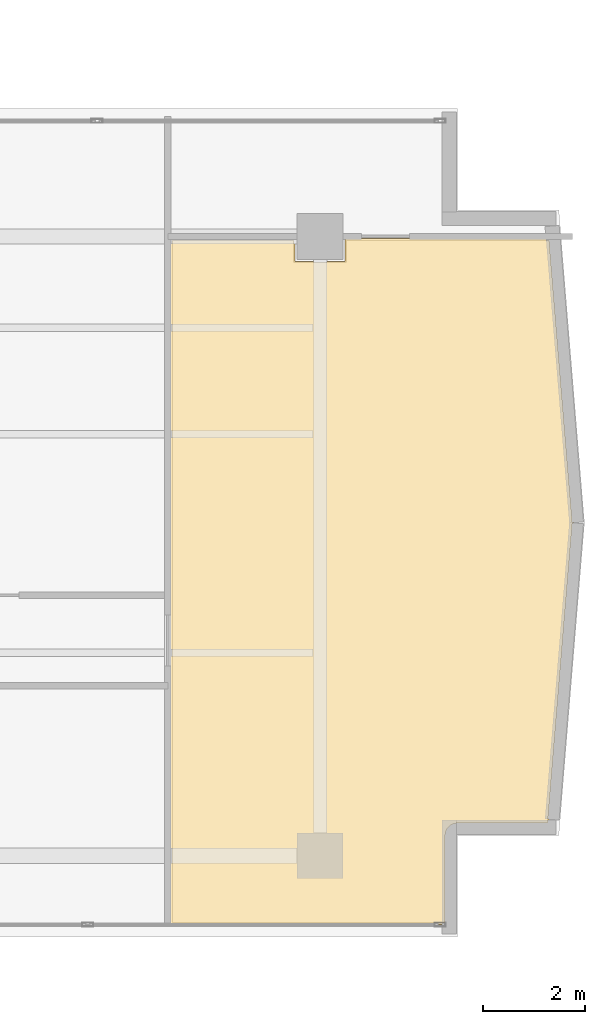
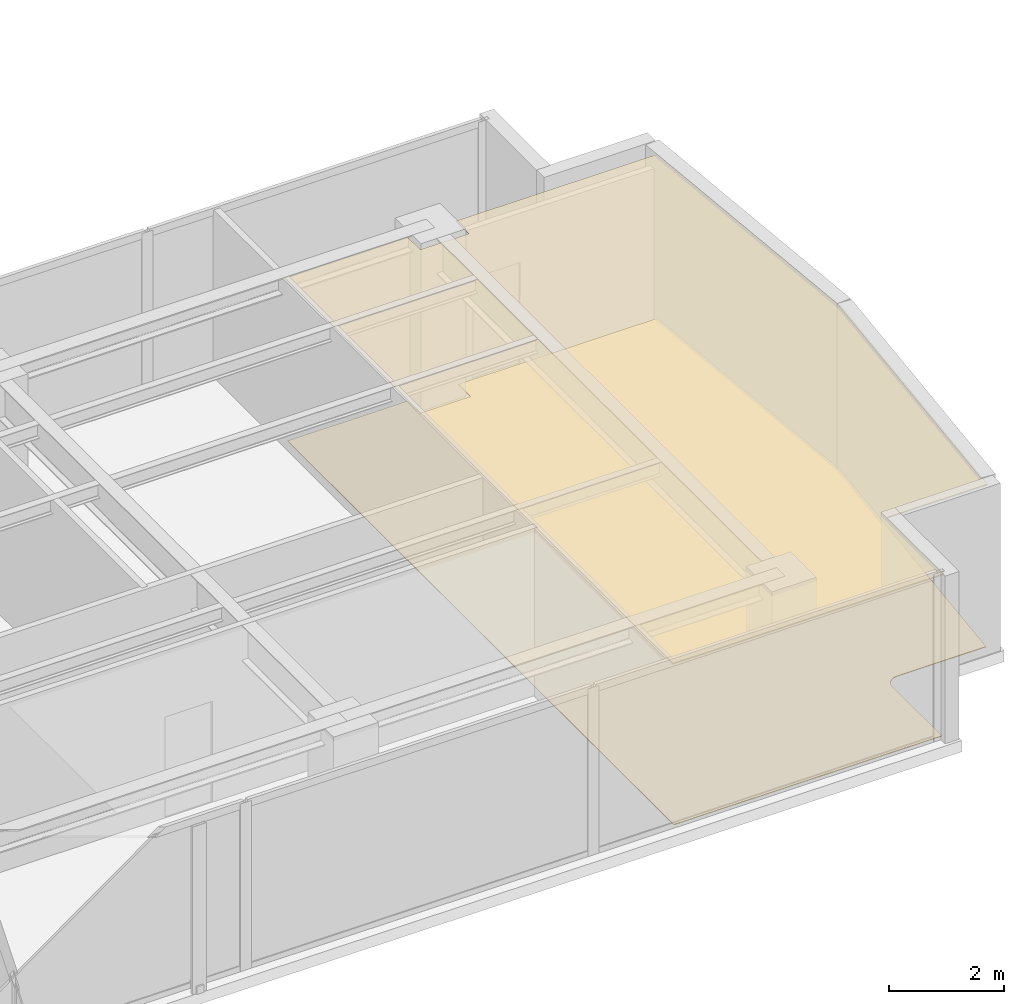
# One storey, part 23 of 24: 2 coverings.
"""IFC4 building model written with IfcOpenShell, lengths in metres."""

from ifc_helpers import new_model, si_unit, direction, frame, origin, place, context, subcontext, project, spatial, polyline, outline, extrude, material, layer, layer_set, type_object, element, save


model = new_model("IFC4")

# Units and contexts
model_context = context("Model", 3, precision=1e-05, world=origin(), true_north=direction((0.0, 1.0)))
body_context = subcontext(model_context, "Body", "Model", "MODEL_VIEW")
ifc_project = project(units=[si_unit("LENGTHUNIT", "METRE"), si_unit("AREAUNIT", "SQUARE_METRE"), si_unit("VOLUMEUNIT", "CUBIC_METRE"), si_unit("PLANEANGLEUNIT", "RADIAN"), si_unit("MASSUNIT", "GRAM", prefix="KILO")], contexts=[model_context])

# Site, building, storey
site_placement = place(None, origin())
site = spatial("IfcSite", under=ifc_project, at=site_placement, CompositionType="ELEMENT")
building_placement = place(site_placement, origin())
building = spatial("IfcBuilding", under=site, at=building_placement, Name="Kolvaren Waterfront Exchange", CompositionType="ELEMENT")
storey_placement = place(building_placement, frame((0.0, 0.0, 293.199951171875)))
storey = spatial("IfcBuildingStorey", under=building, at=storey_placement, Name="L75", CompositionType="ELEMENT", Elevation=293.199951171875)

# Coverings
ifc_material_1 = material(Name="Mineral fibre acoustic ceiling tile")
ifc_layer_1 = layer(ifc_material_1, 0.02490234375, Name="Mineral fibre acoustic ceiling tile")
ifc_layer_set_1 = layer_set([ifc_layer_1], Name="Mineral fibre acoustic ceiling tile")
covering_type_1 = type_object("IfcCoveringType", Name="ARC-CEIL-ACOUSTIC-25", PredefinedType="CEILING", material=ifc_layer_set_1)
covering_1_placement = place(storey_placement, frame((0.0, 0.0, 3.445068359375)))
element("IfcCovering", 1, at=covering_1_placement, inside=storey, type_object=covering_type_1, Name="L75 acoustic suspended ceiling 2", PredefinedType="CEILING", context=body_context, shape_type="SweptSolid", body=[
    extrude(outline(polyline([(46.090087890625, 17.35498046875), (46.090087890625, 16.909912109375), (45.110107421875, 16.909912109375), (45.110107421875, 17.35498046875), (42.64501953125, 17.35498046875), (42.64501953125, 3.844970703125), (48.085205078125, 3.844970703125), (48.085205078125, 5.820068359375), (50.1025390625, 5.820068359375), (50.58984375, 11.7578125), (50.130615234375, 17.35498046875), (46.090087890625, 17.35498046875)])), origin(), (0.0, 0.0, 1.0), 0.02490234375),
])
ifc_material_2 = material(Name="Slip-resistant porcelain tile")
ifc_layer_2 = layer(ifc_material_2, 0.014892578125, Name="Slip-resistant porcelain tile")
ifc_layer_set_2 = layer_set([ifc_layer_2], Name="Slip-resistant porcelain tile")
covering_type_2 = type_object("IfcCoveringType", Name="ARC-FLR-PORC-15", PredefinedType="FLOORING", material=ifc_layer_set_2)
covering_2_placement = place(storey_placement, origin())
element("IfcCovering", 2, at=covering_2_placement, inside=storey, type_object=covering_type_2, Name="L75 floor finish 2", PredefinedType="FLOORING", context=body_context, shape_type="SweptSolid", body=[
    extrude(outline(polyline([(42.679931640625, 17.320068359375), (42.679931640625, 3.8798828125), (48.065185546875, 3.8798828125), (48.065185546875, 5.60009765625), (48.06640625, 5.62353515625), (48.06982421875, 5.646728515625), (48.07568359375, 5.669677734375), (48.08349609375, 5.69189453125), (48.093505859375, 5.713134765625), (48.105712890625, 5.7333984375), (48.119873046875, 5.752197265625), (48.135498046875, 5.769775390625), (48.153076171875, 5.785400390625), (48.172119140625, 5.799560546875), (48.192138671875, 5.811767578125), (48.21337890625, 5.82177734375), (48.235595703125, 5.82958984375), (48.258544921875, 5.83544921875), (48.28173828125, 5.8388671875), (48.305419921875, 5.840087890625), (50.084228515625, 5.840087890625), (50.56982421875, 11.7578125), (50.11328125, 17.320068359375), (46.110107421875, 17.320068359375), (46.110107421875, 16.889892578125), (45.090087890625, 16.889892578125), (45.090087890625, 17.320068359375), (42.679931640625, 17.320068359375)])), origin(), (0.0, 0.0, 1.0), 0.01513671875),
])

save(model, "model.ifc")
